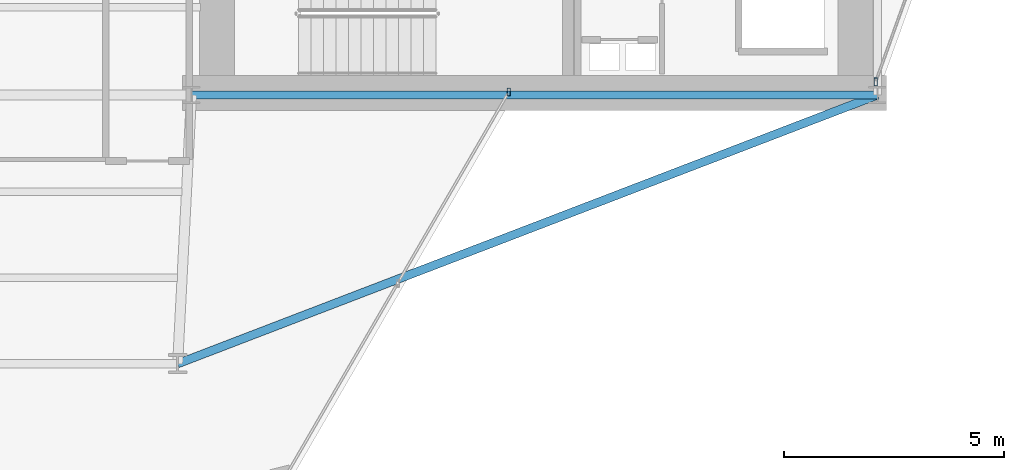
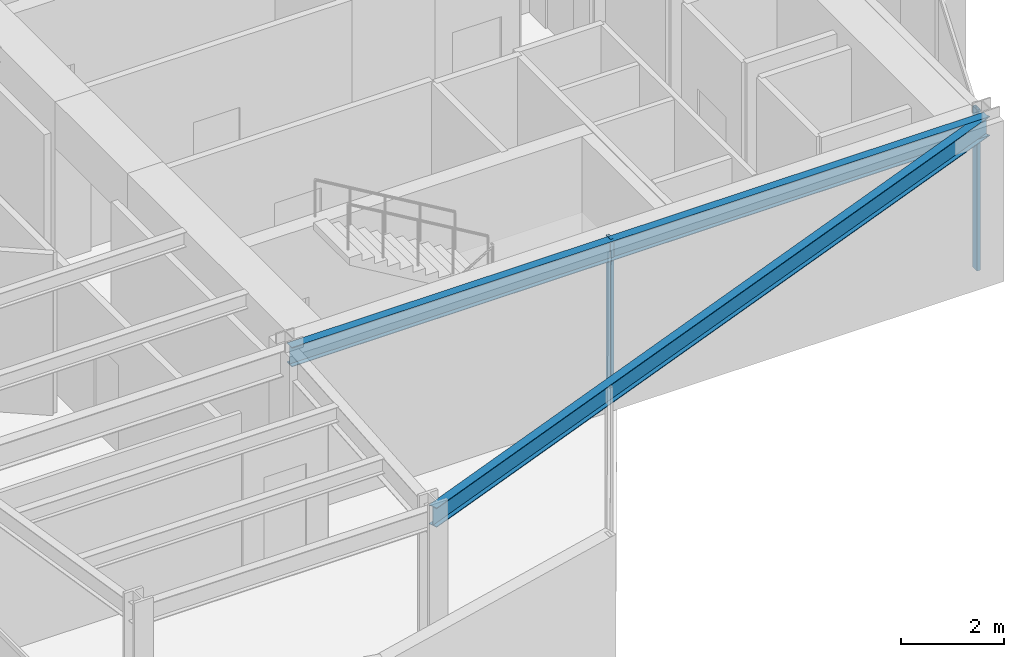
# One storey, part 13 of 25: 2 beams, 2 members, 2 elements without a shape of their own.
"""IFC4 building model written with IfcOpenShell, lengths in metres."""

from ifc_helpers import new_model, si_unit, direction, frame, origin, origin_2d, place, context, subcontext, project, spatial, hollow_rectangle, i_section, extrude, material, layer, layer_set, material_profile, profile_set, type_object, element, aggregate, save


model = new_model("IFC4")

# Units and contexts
model_context = context("Model", 3, precision=1e-05, world=origin(), true_north=direction((0.0, 1.0)))
body_context = subcontext(model_context, "Body", "Model", "MODEL_VIEW")
ifc_project = project(units=[si_unit("LENGTHUNIT", "METRE"), si_unit("AREAUNIT", "SQUARE_METRE"), si_unit("VOLUMEUNIT", "CUBIC_METRE"), si_unit("PLANEANGLEUNIT", "RADIAN"), si_unit("MASSUNIT", "GRAM", prefix="KILO")], contexts=[model_context])

# Site, building, storey
site_placement = place(None, origin())
site = spatial("IfcSite", under=ifc_project, at=site_placement, CompositionType="ELEMENT")
building_placement = place(site_placement, origin())
building = spatial("IfcBuilding", under=site, at=building_placement, Name="Veymaron Broadcast Tower", CompositionType="ELEMENT")
storey_placement = place(building_placement, frame((0.0, 0.0, 169.5)))
storey = spatial("IfcBuildingStorey", under=building, at=storey_placement, Name="L39", CompositionType="ELEMENT", Elevation=169.5)

# Beams
ifc_material_1 = material(Name="Structural steel ASTM A992 Gr 50", Category="steel")
ifc_material_profile_1 = material_profile(ifc_material_1, i_section(OverallWidth=0.19091796875, OverallDepth=0.4599609375, WebThickness=0.010009765625, FlangeThickness=0.01611328125, at=origin_2d()), Name="W460X82")
ifc_profile_set_1 = profile_set([ifc_material_profile_1], Name="Structural steel ASTM A992 Gr 50")
beam_type = type_object("IfcBeamType", Name="BM-SP1", PredefinedType="SPANDREL", material=ifc_profile_set_1)
beam_1_placement = place(storey_placement, frame((39.0, 16.0, 3.580078125), z_axis=(1.0, 0.0, 0.0), x_axis=(0.0, 1.0, 0.0)))
element("IfcBeam", 1, at=beam_1_placement, inside=storey, type_object=beam_type, Name="L39 primary structural floor girder", PredefinedType="SPANDREL", context=body_context, shape_type="SweptSolid", body=[
    extrude(i_section(OverallWidth=0.19091796875, OverallDepth=0.4599609375, WebThickness=0.010009765625, FlangeThickness=0.01611328125, at=origin_2d()), origin(), (0.0, 0.0, 1.0), 15.60009765625),
])
beam_2_placement = place(storey_placement, frame((54.60009765625, 16.0, 3.580078125), z_axis=(-0.93356283501, -0.358413773575, 0.0), x_axis=(0.358413773575, -0.93356283501, 0.0)))
element("IfcBeam", 2, at=beam_2_placement, inside=storey, type_object=beam_type, Name="L39 primary structural floor girder", PredefinedType="SPANDREL", context=body_context, shape_type="SweptSolid", body=[
    extrude(i_section(OverallWidth=0.19091796875, OverallDepth=0.4599609375, WebThickness=0.010009765625, FlangeThickness=0.01611328125, at=origin_2d()), origin(), (0.0, 0.0, 1.0), 17.047607421875),
])

# Curtain wall, member
ifc_material_2 = material(Name="Anodised aluminium AA 6063-T6 and laminated low-E dark glass", Category="aluminium")
ifc_layer = layer(ifc_material_2, 0.179931640625)
ifc_layer_set = layer_set([ifc_layer], Name="Anodised aluminium AA 6063-T6 and laminated low-E dark glass")
curtain_wall_type = type_object("IfcCurtainWallType", Name="CW-SYS-03", PredefinedType="NOTDEFINED", material=ifc_layer_set)
curtain_wall_1_placement = place(storey_placement, origin())
curtain_wall_1 = element("IfcCurtainWall", 3, at=curtain_wall_1_placement, inside=storey, type_object=curtain_wall_type, Name="L39 dark-glass curtain wall CW-L39-E2-1", PredefinedType="NOTDEFINED")
ifc_material_3 = material(Name="Anodised aluminium AA 6063-T6", Category="aluminium")
ifc_material_profile_2 = material_profile(ifc_material_3, hollow_rectangle(XDim=0.074951171875, YDim=0.179931640625, WallThickness=0.0048828125, at=origin_2d()), Name="AL180X75X5")
ifc_profile_set_2 = profile_set([ifc_material_profile_2], Name="Anodised aluminium AA 6063-T6")
member_type = type_object("IfcMemberType", Name="CW-MUL-02", PredefinedType="MULLION", material=ifc_profile_set_2)
member_1_placement = place(storey_placement, frame((54.558837890625, 16.299072265625, 0.0), z_axis=(0.0, 0.0, 1.0), x_axis=(1.0, 0.0, 0.0)))
member_1 = element("IfcMember", 4, at=member_1_placement, type_object=member_type, Name="CW-L39-E2-1 mullion 0", PredefinedType="MULLION", context=body_context, shape_type="SweptSolid", body=[
    extrude(hollow_rectangle(XDim=0.074951171875, YDim=0.179931640625, WallThickness=0.0048828125, at=origin_2d()), origin(), (0.0, 0.0, 1.0), 3.81005859375),
])
aggregate(curtain_wall_1, [member_1])

curtain_wall_2_placement = place(storey_placement, origin())
curtain_wall_2 = element("IfcCurtainWall", 5, at=curtain_wall_2_placement, inside=storey, type_object=curtain_wall_type, Name="L39 dark-glass curtain wall CW-L39-E20-1", PredefinedType="NOTDEFINED")
member_2_placement = place(storey_placement, frame((46.21435546875, 16.0703125, 0.0), z_axis=(0.0, 0.0, 1.0), x_axis=(1.0, 0.0, 0.0)))
member_2 = element("IfcMember", 6, at=member_2_placement, type_object=member_type, Name="CW-L39-E20-1 mullion 2", PredefinedType="MULLION", context=body_context, shape_type="SweptSolid", body=[
    extrude(hollow_rectangle(XDim=0.074951171875, YDim=0.179931640625, WallThickness=0.0048828125, at=origin_2d()), origin(), (0.0, 0.0, 1.0), 3.81005859375),
])
aggregate(curtain_wall_2, [member_2])

save(model, "model.ifc")
